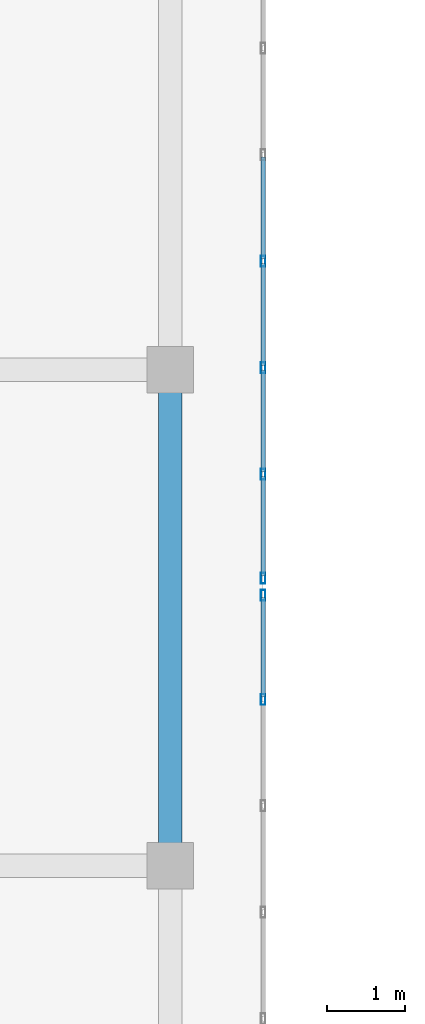
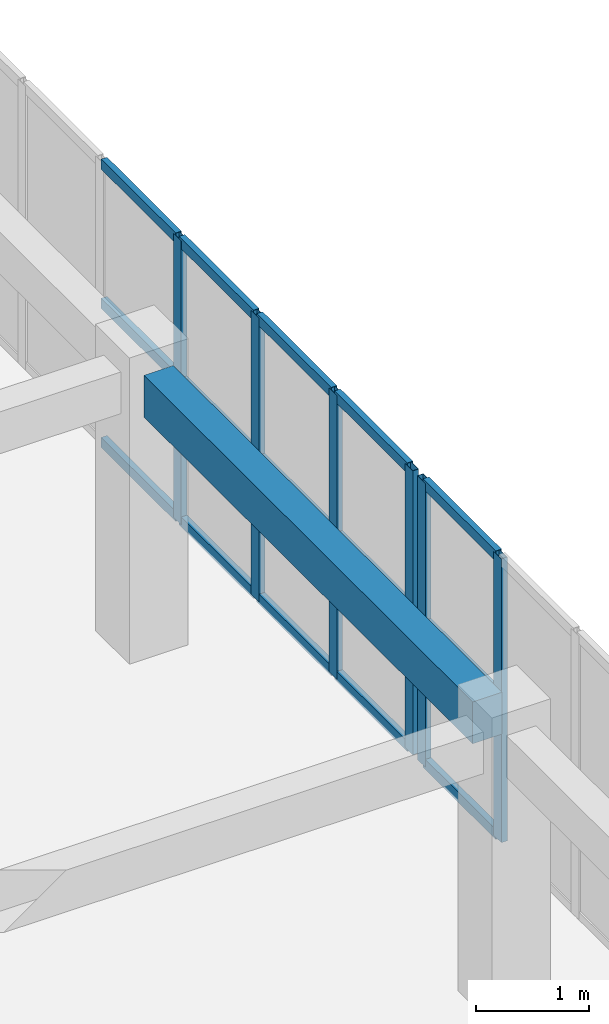
# One storey, part 71 of 200: 21 members, 1 beam, 2 elements without a shape of their own.
"""IFC4 building model written with IfcOpenShell, lengths in metres."""

import ifcopenshell
import ifcopenshell.guid

model = None  # the IFC model being written
_history = None  # IfcOwnerHistory: only IFC2X3 demands one
_inside = {}  # id of a spatial element -> (the spatial element, [elements in it])
_under = {}  # id of a project, library or spatial element -> (it, [spatial elements below it])
_declared = {}  # id of a project -> (the project, [libraries it declares])
_typed = {}  # id of a type object -> (the type object, [elements of that type])
_made_of = {}  # id of a material, layer set ... -> (it, [elements and type objects made of it])


def new_model(schema):
    """Start an empty IFC model of exactly this schema.

    Asked for "IFC4X3", IfcOpenShell would pick the latest addendum, in which some entities
    have other attributes; the version numbers below select the first issue.
    IFC2X3 requires an IfcOwnerHistory on every rooted entity: one is made here for all.
    """
    global model, _history
    if schema == "IFC4X3":
        model = ifcopenshell.file(schema_version=(4, 3, 0, 0))
    else:
        model = ifcopenshell.file(schema=schema)
    _inside.clear()
    _under.clear()
    _declared.clear()
    _typed.clear()
    _made_of.clear()
    _history = None
    if model.schema == "IFC2X3":
        org = make("IfcOrganization", Name="unknown")
        user = make(
            "IfcPersonAndOrganization",
            ThePerson=make("IfcPerson", FamilyName="unknown"),
            TheOrganization=org,
        )
        app = make(
            "IfcApplication",
            ApplicationDeveloper=org,
            Version="unknown",
            ApplicationFullName="unknown",
            ApplicationIdentifier="unknown",
        )
        _history = make(
            "IfcOwnerHistory",
            OwningUser=user,
            OwningApplication=app,
            ChangeAction="ADDED",
            CreationDate=0,
        )
    return model


def make(cls, **values):
    """One entity of the class cls with the attributes given. An attribute that is None is left unset."""
    return model.create_entity(
        cls, **{name: value for name, value in values.items() if value is not None}
    )


def rooted(cls, **values):
    """An entity with a GlobalId (a new one), such as an element, a storey or a relation."""
    return make(cls, GlobalId=ifcopenshell.guid.new(), OwnerHistory=_history, **values)


def si_unit(unit_type, name, prefix=None):
    """IfcSIUnit, for example si_unit("LENGTHUNIT", "METRE", prefix="MILLI")."""
    return make("IfcSIUnit", UnitType=unit_type, Prefix=prefix, Name=name)


def assignment(units):
    """IfcUnitAssignment: the units of a project."""
    return None if units is None else make("IfcUnitAssignment", Units=units)


def point(xyz):
    """IfcCartesianPoint."""
    return None if xyz is None else make("IfcCartesianPoint", Coordinates=xyz)


def direction(xyz):
    """IfcDirection."""
    return None if xyz is None else make("IfcDirection", DirectionRatios=xyz)


def frame(location, z_axis=None, x_axis=None):
    """IfcAxis2Placement3D, a coordinate frame: its origin and axes. An axis left out is left unset."""
    return make(
        "IfcAxis2Placement3D",
        Location=point(location),
        Axis=direction(z_axis),
        RefDirection=direction(x_axis),
    )


def frame_2d(location, x_axis=None):
    """IfcAxis2Placement2D, a coordinate frame in the plane: its origin and x axis."""
    return make(
        "IfcAxis2Placement2D", Location=point(location), RefDirection=direction(x_axis)
    )


def origin():
    """The frame at (0, 0, 0) with its axes left unset."""
    return frame((0.0, 0.0, 0.0))


def origin_2d():
    """The frame at (0, 0) in the plane with its x axis left unset."""
    return frame_2d((0.0, 0.0))


def place(relative_to, where):
    """IfcLocalPlacement: puts the frame where relative to a parent placement (None: the world)."""
    return make(
        "IfcLocalPlacement", PlacementRelTo=relative_to, RelativePlacement=where
    )


def context(
    kind, dimensions, precision=None, world=None, true_north=None, identifier=None
):
    """IfcGeometricRepresentationContext, for example the 3D "Model" context."""
    return make(
        "IfcGeometricRepresentationContext",
        ContextIdentifier=identifier,
        ContextType=kind,
        CoordinateSpaceDimension=dimensions,
        Precision=precision,
        WorldCoordinateSystem=world,
        TrueNorth=true_north,
    )


def subcontext(parent, identifier, kind, view, scale=None):
    """IfcGeometricRepresentationSubContext, for example "Body" below "Model"."""
    return make(
        "IfcGeometricRepresentationSubContext",
        ContextIdentifier=identifier,
        ContextType=kind,
        ParentContext=parent,
        TargetScale=scale,
        TargetView=view,
    )


def project(units=None, contexts=None):
    """IfcProject with its units and contexts."""
    return rooted(
        "IfcProject",
        Name="project",
        RepresentationContexts=contexts,
        UnitsInContext=assignment(units),
    )


def spatial(cls, under=None, at=None, **own):
    """A site, building, storey or space (cls), placed at a placement, below another one or the project."""
    s = rooted(cls, ObjectPlacement=at, **own)
    if under is not None:
        _under.setdefault(under.id(), (under, []))[1].append(s)
    return s


def profile(cls, at=None, kind="AREA", **sizes):
    """A parametric profile (cls). Its sizes go by their IFC names, for example OverallWidth=200.0."""
    return make(cls, ProfileType=kind, Position=at, **sizes)


def rectangle(**sizes):
    """IfcRectangleProfileDef."""
    return profile("IfcRectangleProfileDef", **sizes)


def hollow_rectangle(**sizes):
    """IfcRectangleHollowProfileDef."""
    return profile("IfcRectangleHollowProfileDef", **sizes)


def extrude(swept, where, along, depth):
    """IfcExtrudedAreaSolid: the profile swept, set in the frame where, extruded along a direction by depth."""
    return make(
        "IfcExtrudedAreaSolid",
        SweptArea=swept,
        Position=where,
        ExtrudedDirection=direction(along),
        Depth=depth,
    )


def shape(context_of_items, identifier, shape_type, items):
    """IfcShapeRepresentation: the items that make up one representation, for example the "Body"."""
    return make(
        "IfcShapeRepresentation",
        ContextOfItems=context_of_items,
        RepresentationIdentifier=identifier,
        RepresentationType=shape_type,
        Items=items,
    )


def material(Name=None, Category=None):
    """IfcMaterial."""
    return make("IfcMaterial", Name=Name, Category=Category)


def layer(
    of_material, thickness, ventilated=None, Name=None, Category=None, Priority=None
):
    """IfcMaterialLayer: one layer of a wall or slab, of a material (None: an air gap)."""
    return make(
        "IfcMaterialLayer",
        Material=of_material,
        LayerThickness=thickness,
        IsVentilated=ventilated,
        Name=Name,
        Category=Category,
        Priority=Priority,
    )


def layer_set(layers, Name=None):
    """IfcMaterialLayerSet."""
    return make("IfcMaterialLayerSet", MaterialLayers=layers, LayerSetName=Name)


def material_profile(
    of_material, cross_section, Name=None, Category=None, Priority=None
):
    """IfcMaterialProfile: a cross section and its material."""
    return make(
        "IfcMaterialProfile",
        Name=Name,
        Material=of_material,
        Profile=cross_section,
        Priority=Priority,
        Category=Category,
    )


def profile_set(profiles, Name=None, composite=None):
    """IfcMaterialProfileSet."""
    return make(
        "IfcMaterialProfileSet",
        Name=Name,
        MaterialProfiles=profiles,
        CompositeProfile=composite,
    )


def made_of(thing, what):
    """Note that an element or type object is made of a material, layer set ...; save() writes the relation."""
    if what is not None:
        _made_of.setdefault(what.id(), (what, []))[1].append(thing)
    return thing


def type_object(cls, material=None, **own):
    """A type object (cls), such as IfcWallType, which elements share."""
    return made_of(rooted(cls, **own), material)


def element(
    cls,
    number,
    at=None,
    inside=None,
    cuts=None,
    type_object=None,
    material=None,
    context=None,
    identifier="Body",
    shape_type=None,
    held_by="IfcProductDefinitionShape",
    body=None,
    shapes=None,
    **own,
):
    """One element of the class cls, such as IfcWall. Its Tag is "e" and its number.

    at: its placement. inside: the storey or other place that contains it. cuts: it is an
    opening in that element (IfcRelVoidsElement). A single representation is given by context,
    identifier, shape_type and body (its items); several are given by shapes. held_by: the class
    of the entity that holds the representations. save() writes the other relations.
    """
    e = rooted(cls, Tag="e%d" % number, ObjectPlacement=at, **own)
    if body is not None:
        shapes = [shape(context, identifier, shape_type, body)]
    if shapes is not None:
        e.Representation = make(held_by, Representations=shapes)
    if inside is not None:
        _inside.setdefault(inside.id(), (inside, []))[1].append(e)
    if cuts is not None:
        rooted(
            "IfcRelVoidsElement", RelatingBuildingElement=cuts, RelatedOpeningElement=e
        )
    if type_object is not None:
        _typed.setdefault(type_object.id(), (type_object, []))[1].append(e)
    return made_of(e, material)


def aggregate(whole, parts):
    """IfcRelAggregates: a whole, such as a stair, and the parts it consists of."""
    return rooted("IfcRelAggregates", RelatingObject=whole, RelatedObjects=parts)


def save(model, path):
    """Write the relations noted so far, then the file.

    IfcRelAggregates (storeys below a building ...), IfcRelContainedInSpatialStructure (elements
    in a storey), IfcRelDefinesByType, IfcRelAssociatesMaterial and IfcRelDeclares: one each for
    every whole, place, type object, material and project.
    """
    for whole, parts in _under.values():
        aggregate(whole, parts)
    for where, things in _inside.values():
        rooted(
            "IfcRelContainedInSpatialStructure",
            RelatedElements=things,
            RelatingStructure=where,
        )
    for kind, things in _typed.values():
        rooted("IfcRelDefinesByType", RelatedObjects=things, RelatingType=kind)
    for what, things in _made_of.values():
        rooted("IfcRelAssociatesMaterial", RelatedObjects=things, RelatingMaterial=what)
    for by, libraries in _declared.values():
        rooted("IfcRelDeclares", RelatingContext=by, RelatedDefinitions=libraries)
    model.write(path)


model = new_model("IFC4")

# Units and contexts
model_context = context("Model", 3, precision=1e-05, world=origin(), true_north=direction((0.0, 1.0)))
body_context = subcontext(model_context, "Body", "Model", "MODEL_VIEW")
ifc_project = project(units=[si_unit("LENGTHUNIT", "METRE"), si_unit("AREAUNIT", "SQUARE_METRE"), si_unit("VOLUMEUNIT", "CUBIC_METRE"), si_unit("PLANEANGLEUNIT", "RADIAN"), si_unit("MASSUNIT", "GRAM", prefix="KILO")], contexts=[model_context])

# Site, building, storey
site_placement = place(None, origin())
site = spatial("IfcSite", under=ifc_project, at=site_placement, CompositionType="ELEMENT")
building_placement = place(site_placement, origin())
building = spatial("IfcBuilding", under=site, at=building_placement, Name="Trelvath General Hospital", CompositionType="ELEMENT")
storey_placement = place(building_placement, frame((0.0, 0.0, 4.800048828125)))
storey = spatial("IfcBuildingStorey", under=building, at=storey_placement, Name="L01", CompositionType="ELEMENT", Elevation=4.800048828125)

# Beam
ifc_material_1 = material(Name="Concrete C35/45", Category="concrete")
ifc_material_profile_1 = material_profile(ifc_material_1, rectangle(XDim=0.300048828125, YDim=0.449951171875, at=origin_2d()), Name="RCB300x450")
ifc_profile_set_1 = profile_set([ifc_material_profile_1], Name="Concrete C35/45")
beam_type = type_object("IfcBeamType", Name="Beam RC300x450", PredefinedType="BEAM", material=ifc_profile_set_1)
beam_placement = place(storey_placement, frame((120.0, 38.696044921875, 2.8349609375), z_axis=(0.0, 1.0, 0.0), x_axis=(-1.0, 0.0, 0.0)))
element("IfcBeam", 1, at=beam_placement, inside=storey, type_object=beam_type, Name="Cube Interior Ring Beam CUBE-E-T0 L01", PredefinedType="BEAM", context=body_context, shape_type="SweptSolid", body=[
    extrude(rectangle(XDim=0.300048828125, YDim=0.449951171875, at=origin_2d()), origin(), (0.0, 0.0, 1.0), 5.807861328125),
])

# Curtain wall, members
ifc_material_2 = material(Name="Anodised aluminium and low-E glass", Category="aluminium")
ifc_layer = layer(ifc_material_2, 0.14990234375)
ifc_layer_set = layer_set([ifc_layer], Name="Anodised aluminium and low-E glass")
curtain_wall_type = type_object("IfcCurtainWallType", Name="CW CrystalCube 824 306 15", PredefinedType="USERDEFINED", material=ifc_layer_set)
curtain_wall_1_placement = place(storey_placement, origin())
curtain_wall_1 = element("IfcCurtainWall", 2, at=curtain_wall_1_placement, inside=storey, type_object=curtain_wall_type, Name="Crystal Cube Curtain Wall CUBE-E-T0 E2 L01", ObjectType="Unitised Glazed Curtain Wall", PredefinedType="USERDEFINED")
ifc_material_3 = material(Name="Anodised aluminium", Category="aluminium")
ifc_material_profile_2 = material_profile(ifc_material_3, hollow_rectangle(XDim=0.06005859375, YDim=0.139892578125, WallThickness=0.00390625, at=origin_2d()), Name="RHS60x140x4")
ifc_profile_set_2 = profile_set([ifc_material_profile_2], Name="Anodised aluminium")
member_type_1 = type_object("IfcMemberType", Name="CurtainMullion 60x140", PredefinedType="MULLION", material=ifc_profile_set_2)
member_1_placement = place(storey_placement, frame((121.199951171875, 41.889892578125, 0.0), z_axis=(0.0, 0.0, 1.0), x_axis=(1.0, 0.0, 0.0)))
member_1 = element("IfcMember", 3, at=member_1_placement, type_object=member_type_1, Name="CW-162 mullion 1", PredefinedType="MULLION", context=body_context, shape_type="SweptSolid", body=[
    extrude(hollow_rectangle(XDim=0.06005859375, YDim=0.139892578125, WallThickness=0.00390625, at=origin_2d()), origin(), (0.0, 0.0, 1.0), 3.06005859375),
])
member_2_placement = place(storey_placement, frame((121.199951171875, 40.546630859375, 0.0), z_axis=(0.0, 0.0, 1.0), x_axis=(1.0, 0.0, 0.0)))
member_2 = element("IfcMember", 4, at=member_2_placement, type_object=member_type_1, Name="CW-162 mullion 2", PredefinedType="MULLION", context=body_context, shape_type="SweptSolid", body=[
    extrude(hollow_rectangle(XDim=0.06005859375, YDim=0.139892578125, WallThickness=0.00390625, at=origin_2d()), origin(), (0.0, 0.0, 1.0), 3.06005859375),
])

curtain_wall_2_placement = place(storey_placement, origin())
curtain_wall_2 = element("IfcCurtainWall", 5, at=curtain_wall_2_placement, inside=storey, type_object=curtain_wall_type, Name="Crystal Cube Curtain Wall CUBE-E-T0 E3 L01", ObjectType="Unitised Glazed Curtain Wall", PredefinedType="USERDEFINED")
member_3_placement = place(storey_placement, frame((121.199951171875, 46.199951171875, 0.0), z_axis=(0.0, 0.0, 1.0), x_axis=(1.0, 0.0, 0.0)))
member_3 = element("IfcMember", 6, at=member_3_placement, type_object=member_type_1, Name="CW-164 mullion 4", PredefinedType="MULLION", context=body_context, shape_type="SweptSolid", body=[
    extrude(hollow_rectangle(XDim=0.06005859375, YDim=0.139892578125, WallThickness=0.00390625, at=origin_2d()), origin(), (0.0, 0.0, 1.0), 3.06005859375),
])
member_4_placement = place(storey_placement, frame((121.199951171875, 44.82666015625, 0.0), z_axis=(0.0, 0.0, 1.0), x_axis=(1.0, 0.0, 0.0)))
member_4 = element("IfcMember", 7, at=member_4_placement, type_object=member_type_1, Name="CW-164 mullion 5", PredefinedType="MULLION", context=body_context, shape_type="SweptSolid", body=[
    extrude(hollow_rectangle(XDim=0.06005859375, YDim=0.139892578125, WallThickness=0.00390625, at=origin_2d()), origin(), (0.0, 0.0, 1.0), 3.06005859375),
])
member_5_placement = place(storey_placement, frame((121.199951171875, 43.453369140625, 0.0), z_axis=(0.0, 0.0, 1.0), x_axis=(1.0, 0.0, 0.0)))
member_5 = element("IfcMember", 8, at=member_5_placement, type_object=member_type_1, Name="CW-164 mullion 6", PredefinedType="MULLION", context=body_context, shape_type="SweptSolid", body=[
    extrude(hollow_rectangle(XDim=0.06005859375, YDim=0.139892578125, WallThickness=0.00390625, at=origin_2d()), origin(), (0.0, 0.0, 1.0), 3.06005859375),
])
member_6_placement = place(storey_placement, frame((121.199951171875, 42.110107421875, 0.0), z_axis=(0.0, 0.0, 1.0), x_axis=(1.0, 0.0, 0.0)))
member_6 = element("IfcMember", 9, at=member_6_placement, type_object=member_type_1, Name="CW-164 mullion 7", PredefinedType="MULLION", context=body_context, shape_type="SweptSolid", body=[
    extrude(hollow_rectangle(XDim=0.06005859375, YDim=0.139892578125, WallThickness=0.00390625, at=origin_2d()), origin(), (0.0, 0.0, 1.0), 3.06005859375),
])

# Member
ifc_material_4 = material(Name="Anodised aluminium", Category="aluminium")
ifc_material_profile_3 = material_profile(ifc_material_4, hollow_rectangle(XDim=0.06005859375, YDim=0.110107421875, WallThickness=0.00390625, at=origin_2d()), Name="RHS60x110x4")
ifc_profile_set_3 = profile_set([ifc_material_profile_3], Name="Anodised aluminium")
member_type_2 = type_object("IfcMemberType", Name="CurtainTransom 60x110", PredefinedType="USERDEFINED", material=ifc_profile_set_3)
member_7_placement = place(storey_placement, frame((121.199951171875, 41.860107421875, 0.030029296875), z_axis=(0.0, -1.0, 0.0), x_axis=(1.0, 0.0, 0.0)))
member_7 = element("IfcMember", 10, at=member_7_placement, type_object=member_type_2, Name="CW-162 transom 1.1", ObjectType="TRANSOM", PredefinedType="USERDEFINED", context=body_context, shape_type="SweptSolid", body=[
    extrude(hollow_rectangle(XDim=0.06005859375, YDim=0.110107421875, WallThickness=0.00390625, at=origin_2d()), origin(), (0.0, 0.0, 1.0), 1.283447265625),
])

member_8_placement = place(storey_placement, frame((121.199951171875, 41.860107421875, 1.530029296875), z_axis=(0.0, -1.0, 0.0), x_axis=(1.0, 0.0, 0.0)))
member_8 = element("IfcMember", 11, at=member_8_placement, type_object=member_type_2, Name="CW-162 transom 1.2", ObjectType="TRANSOM", PredefinedType="USERDEFINED", context=body_context, shape_type="SweptSolid", body=[
    extrude(hollow_rectangle(XDim=0.06005859375, YDim=0.110107421875, WallThickness=0.00390625, at=origin_2d()), origin(), (0.0, 0.0, 1.0), 1.283447265625),
])

member_9_placement = place(storey_placement, frame((121.199951171875, 41.860107421875, 3.030029296875), z_axis=(0.0, -1.0, 0.0), x_axis=(1.0, 0.0, 0.0)))
member_9 = element("IfcMember", 12, at=member_9_placement, type_object=member_type_2, Name="CW-162 transom 1.3", ObjectType="TRANSOM", PredefinedType="USERDEFINED", context=body_context, shape_type="SweptSolid", body=[
    extrude(hollow_rectangle(XDim=0.06005859375, YDim=0.110107421875, WallThickness=0.00390625, at=origin_2d()), origin(), (0.0, 0.0, 1.0), 1.283447265625),
])

aggregate(curtain_wall_1, [member_1, member_2, member_7, member_8, member_9])

member_10_placement = place(storey_placement, frame((121.199951171875, 47.543212890625, 0.030029296875), z_axis=(0.0, -1.0, 0.0), x_axis=(1.0, 0.0, 0.0)))
member_10 = element("IfcMember", 13, at=member_10_placement, type_object=member_type_2, Name="CW-164 transom 3.1", ObjectType="TRANSOM", PredefinedType="USERDEFINED", context=body_context, shape_type="SweptSolid", body=[
    extrude(hollow_rectangle(XDim=0.06005859375, YDim=0.110107421875, WallThickness=0.00390625, at=origin_2d()), origin(), (0.0, 0.0, 1.0), 1.313232421875),
])

member_11_placement = place(storey_placement, frame((121.199951171875, 47.543212890625, 1.530029296875), z_axis=(0.0, -1.0, 0.0), x_axis=(1.0, 0.0, 0.0)))
member_11 = element("IfcMember", 14, at=member_11_placement, type_object=member_type_2, Name="CW-164 transom 3.2", ObjectType="TRANSOM", PredefinedType="USERDEFINED", context=body_context, shape_type="SweptSolid", body=[
    extrude(hollow_rectangle(XDim=0.06005859375, YDim=0.110107421875, WallThickness=0.00390625, at=origin_2d()), origin(), (0.0, 0.0, 1.0), 1.313232421875),
])

member_12_placement = place(storey_placement, frame((121.199951171875, 47.543212890625, 3.030029296875), z_axis=(0.0, -1.0, 0.0), x_axis=(1.0, 0.0, 0.0)))
member_12 = element("IfcMember", 15, at=member_12_placement, type_object=member_type_2, Name="CW-164 transom 3.3", ObjectType="TRANSOM", PredefinedType="USERDEFINED", context=body_context, shape_type="SweptSolid", body=[
    extrude(hollow_rectangle(XDim=0.06005859375, YDim=0.110107421875, WallThickness=0.00390625, at=origin_2d()), origin(), (0.0, 0.0, 1.0), 1.313232421875),
])

member_13_placement = place(storey_placement, frame((121.199951171875, 46.169921875, 0.030029296875), z_axis=(0.0, -1.0, 0.0), x_axis=(1.0, 0.0, 0.0)))
member_13 = element("IfcMember", 16, at=member_13_placement, type_object=member_type_2, Name="CW-164 transom 4.1", ObjectType="TRANSOM", PredefinedType="USERDEFINED", context=body_context, shape_type="SweptSolid", body=[
    extrude(hollow_rectangle(XDim=0.06005859375, YDim=0.110107421875, WallThickness=0.00390625, at=origin_2d()), origin(), (0.0, 0.0, 1.0), 1.313232421875),
])

member_14_placement = place(storey_placement, frame((121.199951171875, 46.169921875, 1.530029296875), z_axis=(0.0, -1.0, 0.0), x_axis=(1.0, 0.0, 0.0)))
member_14 = element("IfcMember", 17, at=member_14_placement, type_object=member_type_2, Name="CW-164 transom 4.2", ObjectType="TRANSOM", PredefinedType="USERDEFINED", context=body_context, shape_type="SweptSolid", body=[
    extrude(hollow_rectangle(XDim=0.06005859375, YDim=0.110107421875, WallThickness=0.00390625, at=origin_2d()), origin(), (0.0, 0.0, 1.0), 1.313232421875),
])

member_15_placement = place(storey_placement, frame((121.199951171875, 46.169921875, 3.030029296875), z_axis=(0.0, -1.0, 0.0), x_axis=(1.0, 0.0, 0.0)))
member_15 = element("IfcMember", 18, at=member_15_placement, type_object=member_type_2, Name="CW-164 transom 4.3", ObjectType="TRANSOM", PredefinedType="USERDEFINED", context=body_context, shape_type="SweptSolid", body=[
    extrude(hollow_rectangle(XDim=0.06005859375, YDim=0.110107421875, WallThickness=0.00390625, at=origin_2d()), origin(), (0.0, 0.0, 1.0), 1.313232421875),
])

member_16_placement = place(storey_placement, frame((121.199951171875, 44.796630859375, 0.030029296875), z_axis=(0.0, -1.0, 0.0), x_axis=(1.0, 0.0, 0.0)))
member_16 = element("IfcMember", 19, at=member_16_placement, type_object=member_type_2, Name="CW-164 transom 5.1", ObjectType="TRANSOM", PredefinedType="USERDEFINED", context=body_context, shape_type="SweptSolid", body=[
    extrude(hollow_rectangle(XDim=0.06005859375, YDim=0.110107421875, WallThickness=0.00390625, at=origin_2d()), origin(), (0.0, 0.0, 1.0), 1.313232421875),
])

member_17_placement = place(storey_placement, frame((121.199951171875, 44.796630859375, 1.530029296875), z_axis=(0.0, -1.0, 0.0), x_axis=(1.0, 0.0, 0.0)))
member_17 = element("IfcMember", 20, at=member_17_placement, type_object=member_type_2, Name="CW-164 transom 5.2", ObjectType="TRANSOM", PredefinedType="USERDEFINED", context=body_context, shape_type="SweptSolid", body=[
    extrude(hollow_rectangle(XDim=0.06005859375, YDim=0.110107421875, WallThickness=0.00390625, at=origin_2d()), origin(), (0.0, 0.0, 1.0), 1.313232421875),
])

member_18_placement = place(storey_placement, frame((121.199951171875, 44.796630859375, 3.030029296875), z_axis=(0.0, -1.0, 0.0), x_axis=(1.0, 0.0, 0.0)))
member_18 = element("IfcMember", 21, at=member_18_placement, type_object=member_type_2, Name="CW-164 transom 5.3", ObjectType="TRANSOM", PredefinedType="USERDEFINED", context=body_context, shape_type="SweptSolid", body=[
    extrude(hollow_rectangle(XDim=0.06005859375, YDim=0.110107421875, WallThickness=0.00390625, at=origin_2d()), origin(), (0.0, 0.0, 1.0), 1.313232421875),
])

member_19_placement = place(storey_placement, frame((121.199951171875, 43.42333984375, 0.030029296875), z_axis=(0.0, -1.0, 0.0), x_axis=(1.0, 0.0, 0.0)))
member_19 = element("IfcMember", 22, at=member_19_placement, type_object=member_type_2, Name="CW-164 transom 6.1", ObjectType="TRANSOM", PredefinedType="USERDEFINED", context=body_context, shape_type="SweptSolid", body=[
    extrude(hollow_rectangle(XDim=0.06005859375, YDim=0.110107421875, WallThickness=0.00390625, at=origin_2d()), origin(), (0.0, 0.0, 1.0), 1.283447265625),
])

member_20_placement = place(storey_placement, frame((121.199951171875, 43.42333984375, 1.530029296875), z_axis=(0.0, -1.0, 0.0), x_axis=(1.0, 0.0, 0.0)))
member_20 = element("IfcMember", 23, at=member_20_placement, type_object=member_type_2, Name="CW-164 transom 6.2", ObjectType="TRANSOM", PredefinedType="USERDEFINED", context=body_context, shape_type="SweptSolid", body=[
    extrude(hollow_rectangle(XDim=0.06005859375, YDim=0.110107421875, WallThickness=0.00390625, at=origin_2d()), origin(), (0.0, 0.0, 1.0), 1.283447265625),
])

member_21_placement = place(storey_placement, frame((121.199951171875, 43.42333984375, 3.030029296875), z_axis=(0.0, -1.0, 0.0), x_axis=(1.0, 0.0, 0.0)))
member_21 = element("IfcMember", 24, at=member_21_placement, type_object=member_type_2, Name="CW-164 transom 6.3", ObjectType="TRANSOM", PredefinedType="USERDEFINED", context=body_context, shape_type="SweptSolid", body=[
    extrude(hollow_rectangle(XDim=0.06005859375, YDim=0.110107421875, WallThickness=0.00390625, at=origin_2d()), origin(), (0.0, 0.0, 1.0), 1.283447265625),
])

aggregate(curtain_wall_2, [member_3, member_4, member_5, member_6, member_10, member_11, member_12, member_13, member_14, member_15, member_16, member_17, member_18, member_19, member_20, member_21])

save(model, "model.ifc")
